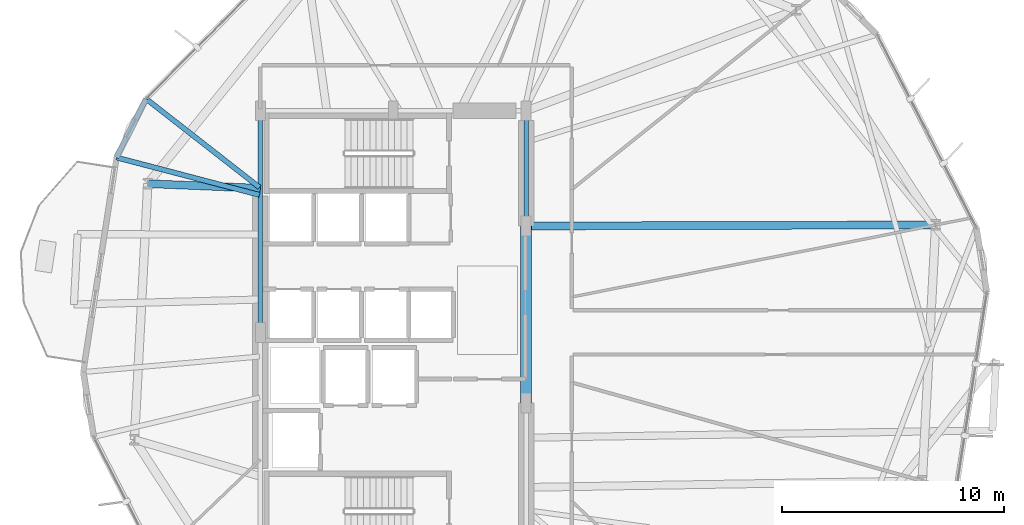
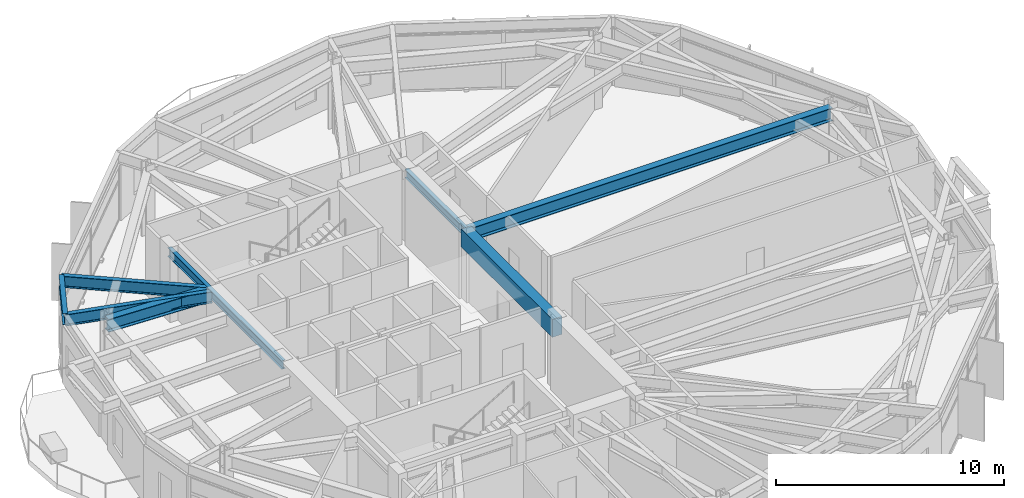
# One storey, part 7 of 23: 8 beams.
"""IFC4 building model written with IfcOpenShell, lengths in metres."""

from ifc_helpers import new_model, si_unit, direction, frame, origin, origin_2d, place, context, subcontext, project, spatial, rectangle, i_section, extrude, material, material_profile, profile_set, type_object, element, save


model = new_model("IFC4")

# Units and contexts
model_context = context("Model", 3, precision=1e-05, world=origin(), true_north=direction((0.0, 1.0)))
body_context = subcontext(model_context, "Body", "Model", "MODEL_VIEW")
ifc_project = project(units=[si_unit("LENGTHUNIT", "METRE"), si_unit("AREAUNIT", "SQUARE_METRE"), si_unit("VOLUMEUNIT", "CUBIC_METRE"), si_unit("PLANEANGLEUNIT", "RADIAN"), si_unit("MASSUNIT", "GRAM", prefix="KILO")], contexts=[model_context])

# Site, building, storey
site_placement = place(None, origin())
site = spatial("IfcSite", under=ifc_project, at=site_placement, CompositionType="ELEMENT")
building_placement = place(site_placement, origin())
building = spatial("IfcBuilding", under=site, at=building_placement, Name="Soratama Intermodal Tower", CompositionType="ELEMENT")
storey_placement = place(building_placement, frame((0.0, 0.0, 62.60009765625)))
storey = spatial("IfcBuildingStorey", under=building, at=storey_placement, Name="L14", CompositionType="ELEMENT", Elevation=62.60009765625)

# Beams
ifc_material_1 = material(Name="Concrete f'c 56 MPa", Category="concrete")
ifc_material_profile_1 = material_profile(ifc_material_1, rectangle(XDim=0.5, YDim=0.949951171875, at=origin_2d()), Name="RC500X950")
ifc_profile_set_1 = profile_set([ifc_material_profile_1], Name="Concrete f'c 56 MPa")
beam_type_1 = type_object("IfcBeamType", Name="BM-CPL-RC500X950", PredefinedType="BEAM", material=ifc_profile_set_1)
beam_1_placement = place(storey_placement, frame((44.60009765625, 21.800048828125, 3.224853515625), z_axis=(0.0, 1.0, 0.0), x_axis=(-1.0, 0.0, 0.0)))
element("IfcBeam", 1, at=beam_1_placement, inside=storey, type_object=beam_type_1, Name="L14 Core Coupling Beam East", PredefinedType="BEAM", context=body_context, shape_type="SweptSolid", body=[
    extrude(rectangle(XDim=0.5, YDim=0.949951171875, at=origin_2d()), origin(), (0.0, 0.0, 1.0), 8.0),
])
ifc_material_2 = material(Name="Structural steel ASTM A992 Grade 50", Category="steel")
ifc_material_profile_2 = material_profile(ifc_material_2, i_section(OverallWidth=0.19091796875, OverallDepth=0.4599609375, WebThickness=0.010009765625, FlangeThickness=0.01611328125, FilletRadius=0.010986328125, at=origin_2d()), Name="W18X55")
ifc_profile_set_2 = profile_set([ifc_material_profile_2], Name="Structural steel ASTM A992 Grade 50")
beam_type_2 = type_object("IfcBeamType", Name="BM-FLR-W18X55", PredefinedType="BEAM", material=ifc_profile_set_2)
beam_2_placement = place(storey_placement, frame((44.60009765625, 29.800048828125, 3.469970703125), z_axis=(0.0, 1.0, 0.0), x_axis=(-1.0, 0.0, 0.0)))
element("IfcBeam", 2, at=beam_2_placement, inside=storey, type_object=beam_type_2, Name="BM-L14-CRING-05", PredefinedType="BEAM", context=body_context, shape_type="SweptSolid", body=[
    extrude(i_section(OverallWidth=0.19091796875, OverallDepth=0.4599609375, WebThickness=0.010009765625, FlangeThickness=0.01611328125, FilletRadius=0.010986328125, at=origin_2d()), origin(), (0.0, 0.0, 1.0), 5.199951171875),
])
beam_3_placement = place(storey_placement, frame((32.60009765625, 35.0, 3.469970703125), z_axis=(0.0, -1.0, 0.0), x_axis=(1.0, 0.0, 0.0)))
element("IfcBeam", 3, at=beam_3_placement, inside=storey, type_object=beam_type_2, Name="BM-L14-CRING-08", PredefinedType="BEAM", context=body_context, shape_type="SweptSolid", body=[
    extrude(i_section(OverallWidth=0.19091796875, OverallDepth=0.4599609375, WebThickness=0.010009765625, FlangeThickness=0.01611328125, FilletRadius=0.010986328125, at=origin_2d()), origin(), (0.0, 0.0, 1.0), 10.0),
])
ifc_material_3 = material(Name="Structural steel ASTM A992 Grade 50", Category="steel")
ifc_material_profile_3 = material_profile(ifc_material_3, i_section(OverallWidth=0.35498046875, OverallDepth=0.695068359375, WebThickness=0.015380859375, FlangeThickness=0.02490234375, FilletRadius=0.01611328125, at=origin_2d()), Name="W27X146")
ifc_profile_set_3 = profile_set([ifc_material_profile_3], Name="Structural steel ASTM A992 Grade 50")
beam_type_3 = type_object("IfcBeamType", Name="BM-RING-W27X146", PredefinedType="BEAM", material=ifc_profile_set_3)
beam_4_placement = place(storey_placement, frame((44.60009765625, 29.800048828125, 3.352294921875), z_axis=(0.999997046146, 0.002430575896, 0.0), x_axis=(-0.002430575896, 0.999997046146, 0.0)))
element("IfcBeam", 4, at=beam_4_placement, inside=storey, type_object=beam_type_3, Name="BM-L14-RAD-01", PredefinedType="BEAM", context=body_context, shape_type="SweptSolid", body=[
    extrude(i_section(OverallWidth=0.35498046875, OverallDepth=0.695068359375, WebThickness=0.015380859375, FlangeThickness=0.02490234375, FilletRadius=0.01611328125, at=origin_2d()), origin(), (0.0, 0.0, 1.0), 18.48193359375),
])
beam_5_placement = place(storey_placement, frame((32.60009765625, 31.5, 3.352294921875), z_axis=(-0.999153929645, 0.041126936131, 0.0), x_axis=(-0.041126936131, -0.999153929645, 0.0)))
element("IfcBeam", 5, at=beam_5_placement, inside=storey, type_object=beam_type_3, Name="BM-L14-RAD-05", PredefinedType="BEAM", context=body_context, shape_type="SweptSolid", body=[
    extrude(i_section(OverallWidth=0.35498046875, OverallDepth=0.695068359375, WebThickness=0.015380859375, FlangeThickness=0.02490234375, FilletRadius=0.01611328125, at=origin_2d()), origin(), (0.0, 0.0, 1.0), 5.08154296875),
])
ifc_material_4 = material(Name="Structural steel ASTM A992 Grade 50", Category="steel")
ifc_material_profile_4 = material_profile(ifc_material_4, i_section(OverallWidth=0.22900390625, OverallDepth=0.612060546875, WebThickness=0.011962890625, FlangeThickness=0.01953125, FilletRadius=0.012939453125, at=origin_2d()), Name="W24X84")
ifc_profile_set_4 = profile_set([ifc_material_profile_4], Name="Structural steel ASTM A992 Grade 50")
beam_type_4 = type_object("IfcBeamType", Name="BM-SPN-W24X84", PredefinedType="SPANDREL", material=ifc_profile_set_4)
beam_6_placement = place(storey_placement, frame((27.444091796875, 35.5380859375, 3.393798828125), z_axis=(-0.450994621694, -0.892526666942, 0.0), x_axis=(0.892526666942, -0.450994621694, 0.0)))
element("IfcBeam", 6, at=beam_6_placement, inside=storey, type_object=beam_type_4, Name="BS-L14-CRN04", PredefinedType="SPANDREL", context=body_context, shape_type="SweptSolid", body=[
    extrude(i_section(OverallWidth=0.22900390625, OverallDepth=0.612060546875, WebThickness=0.011962890625, FlangeThickness=0.01953125, FilletRadius=0.012939453125, at=origin_2d()), origin(), (0.0, 0.0, 1.0), 2.967041015625),
])
ifc_material_5 = material(Name="Structural steel ASTM A992 Grade 50", Category="steel")
ifc_material_profile_5 = material_profile(ifc_material_5, i_section(OverallWidth=0.22900390625, OverallDepth=0.612060546875, WebThickness=0.011962890625, FlangeThickness=0.01953125, FilletRadius=0.012939453125, at=origin_2d()), Name="W24X84")
ifc_profile_set_5 = profile_set([ifc_material_profile_5], Name="Structural steel ASTM A992 Grade 50")
beam_type_5 = type_object("IfcBeamType", Name="BM-TIE-W24X84", PredefinedType="BEAM", material=ifc_profile_set_5)
beam_7_placement = place(storey_placement, frame((32.568115234375, 31.5380859375, 3.393798828125), z_axis=(-0.788258909164, 0.615343718684, 0.0), x_axis=(-0.615343718684, -0.788258909164, 0.0)))
element("IfcBeam", 7, at=beam_7_placement, inside=storey, type_object=beam_type_5, Name="BM-L14-TIE1-04", PredefinedType="BEAM", context=body_context, shape_type="SweptSolid", body=[
    extrude(i_section(OverallWidth=0.22900390625, OverallDepth=0.612060546875, WebThickness=0.011962890625, FlangeThickness=0.01953125, FilletRadius=0.012939453125, at=origin_2d()), origin(), (0.0, 0.0, 1.0), 6.50048828125),
])
beam_8_placement = place(storey_placement, frame((32.56103515625, 31.200927734375, 3.393798828125), z_axis=(-0.967432835651, 0.253127850115, 0.0), x_axis=(-0.253127850115, -0.967432835651, 0.0)))
element("IfcBeam", 8, at=beam_8_placement, inside=storey, type_object=beam_type_5, Name="BM-L14-TIE0-05", PredefinedType="BEAM", context=body_context, shape_type="SweptSolid", body=[
    extrude(i_section(OverallWidth=0.22900390625, OverallDepth=0.612060546875, WebThickness=0.011962890625, FlangeThickness=0.01953125, FilletRadius=0.012939453125, at=origin_2d()), origin(), (0.0, 0.0, 1.0), 6.67236328125),
])

save(model, "model.ifc")
